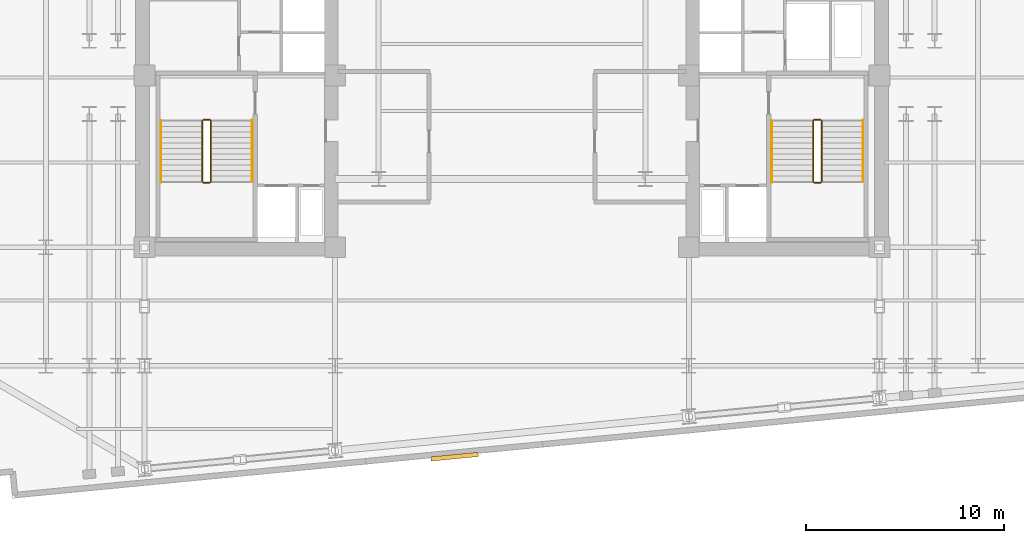
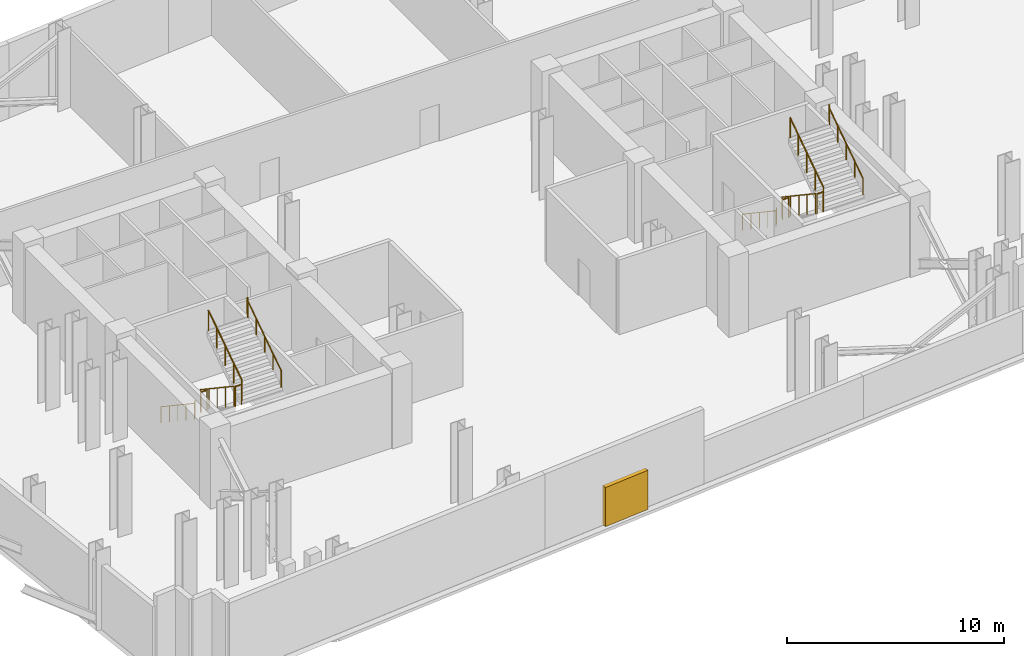
# One storey, part 8 of 9: 12 railings, 1 shading device.
"""IFC4 building model written with IfcOpenShell, lengths in metres."""

from ifc_helpers import new_model, si_unit, direction, frame, origin, origin_2d, place, context, subcontext, project, spatial, rectangle, circle, extrude, material, type_object, element, save


model = new_model("IFC4")

# Units and contexts
model_context = context("Model", 3, precision=1e-05, world=origin(), true_north=direction((0.0, 1.0)))
body_context = subcontext(model_context, "Body", "Model", "MODEL_VIEW")
ifc_project = project(units=[si_unit("LENGTHUNIT", "METRE"), si_unit("AREAUNIT", "SQUARE_METRE"), si_unit("VOLUMEUNIT", "CUBIC_METRE"), si_unit("PLANEANGLEUNIT", "RADIAN"), si_unit("MASSUNIT", "GRAM", prefix="KILO")], contexts=[model_context])

# Site, building, storey
site_placement = place(None, origin())
site = spatial("IfcSite", under=ifc_project, at=site_placement, CompositionType="ELEMENT")
building_placement = place(site_placement, origin())
building = spatial("IfcBuilding", under=site, at=building_placement, Name="Velakula Bourse", CompositionType="ELEMENT")
storey_placement = place(building_placement, frame((0.0, 0.0, 112.14990234375)))
storey = spatial("IfcBuildingStorey", under=building, at=storey_placement, Name="L30", CompositionType="ELEMENT", Elevation=112.14990234375)

# Railings
ifc_material_1 = material(Name="Brushed grade 316 stainless steel", Category="steel")
railing_type_1 = type_object("IfcRailingType", Name="RLG-STAIR-GUARD-1150", PredefinedType="BALUSTRADE", material=ifc_material_1)
railing_1_placement = place(storey_placement, frame((-15.672119140625, -2.199951171875, 0.1875)))
element("IfcRailing", 1, at=railing_1_placement, inside=storey, type_object=railing_type_1, Name="L30 ST-W1 stair guard 1", PredefinedType="BALUSTRADE", context=body_context, shape_type="SweptSolid", body=[
    extrude(circle(Radius=0.02490234375, at=origin_2d()), frame((0.0, 0.0, 1.125), z_axis=(0.0, -0.830913701846, 0.55640131208), x_axis=(1.0, 0.0, 0.0)), (0.0, 0.0, 1.0), 3.706787109375),
    extrude(circle(Radius=0.02099609375, at=origin_2d()), origin(), (0.0, 0.0, 1.0), 1.099853515625),
    extrude(circle(Radius=0.02099609375, at=origin_2d()), frame((0.0, -0.77001953125, 0.515625)), (0.0, 0.0, 1.0), 1.099853515625),
    extrude(circle(Radius=0.02099609375, at=origin_2d()), frame((0.0, -1.5400390625, 1.03125)), (0.0, 0.0, 1.0), 1.099853515625),
    extrude(circle(Radius=0.02099609375, at=origin_2d()), frame((0.0, -2.31005859375, 1.546875)), (0.0, 0.0, 1.0), 1.099853515625),
    extrude(circle(Radius=0.02099609375, at=origin_2d()), frame((0.0, -3.080078125, 2.0625)), (0.0, 0.0, 1.0), 1.099853515625),
])
railing_2_placement = place(storey_placement, frame((-15.6220703125, -5.330078125, 2.25)))
element("IfcRailing", 2, at=railing_2_placement, inside=storey, type_object=railing_type_1, Name="L30 ST-W1 stair guard 2", PredefinedType="BALUSTRADE", context=body_context, shape_type="SweptSolid", body=[
    extrude(circle(Radius=0.02490234375, at=origin_2d()), frame((0.0, 0.0, 1.125), z_axis=(1.0, 0.0, 0.0), x_axis=(0.0, 1.0, 0.0)), (0.0, 0.0, 1.0), 0.323974609375),
    extrude(circle(Radius=0.02099609375, at=origin_2d()), origin(), (0.0, 0.0, 1.0), 1.099853515625),
    extrude(circle(Radius=0.02099609375, at=origin_2d()), frame((0.323974609375, 0.0, 0.0)), (0.0, 0.0, 1.0), 1.099853515625),
])
railing_3_placement = place(storey_placement, frame((-15.248046875, -5.280029296875, 2.4375)))
element("IfcRailing", 3, at=railing_3_placement, inside=storey, type_object=railing_type_1, Name="L30 ST-W1 stair guard 3", PredefinedType="BALUSTRADE", context=body_context, shape_type="SweptSolid", body=[
    extrude(circle(Radius=0.02490234375, at=origin_2d()), frame((0.0, 0.0, 1.125), z_axis=(0.0, 0.830913701846, 0.55640131208), x_axis=(-1.0, 0.0, 0.0)), (0.0, 0.0, 1.0), 3.706787109375),
    extrude(circle(Radius=0.02099609375, at=origin_2d()), origin(), (0.0, 0.0, 1.0), 1.099853515625),
    extrude(circle(Radius=0.02099609375, at=origin_2d()), frame((0.0, 0.77001953125, 0.515625)), (0.0, 0.0, 1.0), 1.099853515625),
    extrude(circle(Radius=0.02099609375, at=origin_2d()), frame((0.0, 1.5400390625, 1.03125)), (0.0, 0.0, 1.0), 1.099853515625),
    extrude(circle(Radius=0.02099609375, at=origin_2d()), frame((0.0, 2.31005859375, 1.546875)), (0.0, 0.0, 1.0), 1.099853515625),
    extrude(circle(Radius=0.02099609375, at=origin_2d()), frame((0.0, 3.080078125, 2.0625)), (0.0, 0.0, 1.0), 1.099853515625),
])
railing_4_placement = place(storey_placement, frame((-15.6220703125, -2.14990234375, 0.0)))
element("IfcRailing", 4, at=railing_4_placement, inside=storey, type_object=railing_type_1, Name="L30 ST-W1 stair guard 4", PredefinedType="BALUSTRADE", context=body_context, shape_type="SweptSolid", body=[
    extrude(circle(Radius=0.02490234375, at=origin_2d()), frame((0.0, 0.0, 1.125), z_axis=(1.0, 0.0, 0.0), x_axis=(0.0, 1.0, 0.0)), (0.0, 0.0, 1.0), 0.323974609375),
    extrude(circle(Radius=0.02099609375, at=origin_2d()), origin(), (0.0, 0.0, 1.0), 1.099853515625),
    extrude(circle(Radius=0.02099609375, at=origin_2d()), frame((0.323974609375, 0.0, 0.0)), (0.0, 0.0, 1.0), 1.099853515625),
])
railing_5_placement = place(storey_placement, frame((15.248046875, -2.199951171875, 0.1875)))
element("IfcRailing", 5, at=railing_5_placement, inside=storey, type_object=railing_type_1, Name="L30 ST-E1 stair guard 1", PredefinedType="BALUSTRADE", context=body_context, shape_type="SweptSolid", body=[
    extrude(circle(Radius=0.02490234375, at=origin_2d()), frame((0.0, 0.0, 1.125), z_axis=(0.0, -0.830913701846, 0.55640131208), x_axis=(1.0, 0.0, 0.0)), (0.0, 0.0, 1.0), 3.706787109375),
    extrude(circle(Radius=0.02099609375, at=origin_2d()), origin(), (0.0, 0.0, 1.0), 1.099853515625),
    extrude(circle(Radius=0.02099609375, at=origin_2d()), frame((0.0, -0.77001953125, 0.515625)), (0.0, 0.0, 1.0), 1.099853515625),
    extrude(circle(Radius=0.02099609375, at=origin_2d()), frame((0.0, -1.5400390625, 1.03125)), (0.0, 0.0, 1.0), 1.099853515625),
    extrude(circle(Radius=0.02099609375, at=origin_2d()), frame((0.0, -2.31005859375, 1.546875)), (0.0, 0.0, 1.0), 1.099853515625),
    extrude(circle(Radius=0.02099609375, at=origin_2d()), frame((0.0, -3.080078125, 2.0625)), (0.0, 0.0, 1.0), 1.099853515625),
])
railing_6_placement = place(storey_placement, frame((15.298095703125, -5.330078125, 2.25)))
element("IfcRailing", 6, at=railing_6_placement, inside=storey, type_object=railing_type_1, Name="L30 ST-E1 stair guard 2", PredefinedType="BALUSTRADE", context=body_context, shape_type="SweptSolid", body=[
    extrude(circle(Radius=0.02490234375, at=origin_2d()), frame((0.0, 0.0, 1.125), z_axis=(1.0, 0.0, 0.0), x_axis=(0.0, 1.0, 0.0)), (0.0, 0.0, 1.0), 0.323974609375),
    extrude(circle(Radius=0.02099609375, at=origin_2d()), origin(), (0.0, 0.0, 1.0), 1.099853515625),
    extrude(circle(Radius=0.02099609375, at=origin_2d()), frame((0.323974609375, 0.0, 0.0)), (0.0, 0.0, 1.0), 1.099853515625),
])
railing_7_placement = place(storey_placement, frame((15.672119140625, -5.280029296875, 2.4375)))
element("IfcRailing", 7, at=railing_7_placement, inside=storey, type_object=railing_type_1, Name="L30 ST-E1 stair guard 3", PredefinedType="BALUSTRADE", context=body_context, shape_type="SweptSolid", body=[
    extrude(circle(Radius=0.02490234375, at=origin_2d()), frame((0.0, 0.0, 1.125), z_axis=(0.0, 0.830913701846, 0.55640131208), x_axis=(-1.0, 0.0, 0.0)), (0.0, 0.0, 1.0), 3.706787109375),
    extrude(circle(Radius=0.02099609375, at=origin_2d()), origin(), (0.0, 0.0, 1.0), 1.099853515625),
    extrude(circle(Radius=0.02099609375, at=origin_2d()), frame((0.0, 0.77001953125, 0.515625)), (0.0, 0.0, 1.0), 1.099853515625),
    extrude(circle(Radius=0.02099609375, at=origin_2d()), frame((0.0, 1.5400390625, 1.03125)), (0.0, 0.0, 1.0), 1.099853515625),
    extrude(circle(Radius=0.02099609375, at=origin_2d()), frame((0.0, 2.31005859375, 1.546875)), (0.0, 0.0, 1.0), 1.099853515625),
    extrude(circle(Radius=0.02099609375, at=origin_2d()), frame((0.0, 3.080078125, 2.0625)), (0.0, 0.0, 1.0), 1.099853515625),
])
railing_8_placement = place(storey_placement, frame((15.298095703125, -2.14990234375, 0.0)))
element("IfcRailing", 8, at=railing_8_placement, inside=storey, type_object=railing_type_1, Name="L30 ST-E1 stair guard 4", PredefinedType="BALUSTRADE", context=body_context, shape_type="SweptSolid", body=[
    extrude(circle(Radius=0.02490234375, at=origin_2d()), frame((0.0, 0.0, 1.125), z_axis=(1.0, 0.0, 0.0), x_axis=(0.0, 1.0, 0.0)), (0.0, 0.0, 1.0), 0.323974609375),
    extrude(circle(Radius=0.02099609375, at=origin_2d()), origin(), (0.0, 0.0, 1.0), 1.099853515625),
    extrude(circle(Radius=0.02099609375, at=origin_2d()), frame((0.323974609375, 0.0, 0.0)), (0.0, 0.0, 1.0), 1.099853515625),
])
railing_type_2 = type_object("IfcRailingType", Name="RLG-STAIR-HAND-920", PredefinedType="HANDRAIL", material=ifc_material_1)
railing_9_placement = place(storey_placement, frame((-17.77001953125, -2.199951171875, 0.1875)))
element("IfcRailing", 9, at=railing_9_placement, inside=storey, type_object=railing_type_2, Name="L30 ST-W1 stair handrail 1", PredefinedType="HANDRAIL", context=body_context, shape_type="SweptSolid", body=[
    extrude(circle(Radius=0.02099609375, at=origin_2d()), frame((0.0, 0.0, 0.89892578125), z_axis=(0.0, -0.830913701846, 0.55640131208), x_axis=(1.0, 0.0, 0.0)), (0.0, 0.0, 1.0), 3.706787109375),
    extrude(circle(Radius=0.02099609375, at=origin_2d()), frame((0.0, -3.080078125, 2.96142578125), z_axis=(0.0, -0.208833338674, 0.97795124452), x_axis=(1.0, 0.0, 0.0)), (0.0, 0.0, 1.0), 0.191650390625),
    extrude(circle(Radius=0.02099609375, at=origin_2d()), frame((0.0, -3.1201171875, 3.14892578125), z_axis=(0.0, -1.0, 0.0), x_axis=(1.0, 0.0, 0.0)), (0.0, 0.0, 1.0), 0.0048828125),
    extrude(circle(Radius=0.02099609375, at=origin_2d()), origin(), (0.0, 0.0, 1.0), 0.8779296875),
    extrude(circle(Radius=0.02099609375, at=origin_2d()), frame((0.0, -0.77001953125, 0.515625)), (0.0, 0.0, 1.0), 0.8779296875),
    extrude(circle(Radius=0.02099609375, at=origin_2d()), frame((0.0, -1.5400390625, 1.03125)), (0.0, 0.0, 1.0), 0.8779296875),
    extrude(circle(Radius=0.02099609375, at=origin_2d()), frame((0.0, -2.31005859375, 1.546875)), (0.0, 0.0, 1.0), 0.8779296875),
    extrude(circle(Radius=0.02099609375, at=origin_2d()), frame((0.0, -3.080078125, 2.0625)), (0.0, 0.0, 1.0), 0.8779296875),
    extrude(circle(Radius=0.02099609375, at=origin_2d()), frame((0.0, -3.1201171875, 2.25)), (0.0, 0.0, 1.0), 0.8779296875),
    extrude(circle(Radius=0.02099609375, at=origin_2d()), frame((0.0, -3.125, 2.25)), (0.0, 0.0, 1.0), 0.8779296875),
])
railing_10_placement = place(storey_placement, frame((-13.14990234375, -5.280029296875, 2.4375)))
element("IfcRailing", 10, at=railing_10_placement, inside=storey, type_object=railing_type_2, Name="L30 ST-W1 stair handrail 2", PredefinedType="HANDRAIL", context=body_context, shape_type="SweptSolid", body=[
    extrude(circle(Radius=0.02099609375, at=origin_2d()), frame((0.0, 0.0, 0.89892578125), z_axis=(0.0, 0.830913701846, 0.55640131208), x_axis=(-1.0, 0.0, 0.0)), (0.0, 0.0, 1.0), 3.706787109375),
    extrude(circle(Radius=0.02099609375, at=origin_2d()), frame((0.0, 3.080078125, 2.96142578125), z_axis=(0.0, 0.208833338674, 0.97795124452), x_axis=(-1.0, 0.0, 0.0)), (0.0, 0.0, 1.0), 0.191650390625),
    extrude(circle(Radius=0.02099609375, at=origin_2d()), frame((0.0, 3.1201171875, 3.14892578125), z_axis=(0.0, 1.0, 0.0), x_axis=(-1.0, 0.0, 0.0)), (0.0, 0.0, 1.0), 0.0048828125),
    extrude(circle(Radius=0.02099609375, at=origin_2d()), origin(), (0.0, 0.0, 1.0), 0.8779296875),
    extrude(circle(Radius=0.02099609375, at=origin_2d()), frame((0.0, 0.77001953125, 0.515625)), (0.0, 0.0, 1.0), 0.8779296875),
    extrude(circle(Radius=0.02099609375, at=origin_2d()), frame((0.0, 1.5400390625, 1.03125)), (0.0, 0.0, 1.0), 0.8779296875),
    extrude(circle(Radius=0.02099609375, at=origin_2d()), frame((0.0, 2.31005859375, 1.546875)), (0.0, 0.0, 1.0), 0.8779296875),
    extrude(circle(Radius=0.02099609375, at=origin_2d()), frame((0.0, 3.080078125, 2.0625)), (0.0, 0.0, 1.0), 0.8779296875),
    extrude(circle(Radius=0.02099609375, at=origin_2d()), frame((0.0, 3.1201171875, 2.25)), (0.0, 0.0, 1.0), 0.8779296875),
    extrude(circle(Radius=0.02099609375, at=origin_2d()), frame((0.0, 3.125, 2.25)), (0.0, 0.0, 1.0), 0.8779296875),
])
railing_11_placement = place(storey_placement, frame((13.14990234375, -2.199951171875, 0.1875)))
element("IfcRailing", 11, at=railing_11_placement, inside=storey, type_object=railing_type_2, Name="L30 ST-E1 stair handrail 1", PredefinedType="HANDRAIL", context=body_context, shape_type="SweptSolid", body=[
    extrude(circle(Radius=0.02099609375, at=origin_2d()), frame((0.0, 0.0, 0.89892578125), z_axis=(0.0, -0.830913701846, 0.55640131208), x_axis=(1.0, 0.0, 0.0)), (0.0, 0.0, 1.0), 3.706787109375),
    extrude(circle(Radius=0.02099609375, at=origin_2d()), frame((0.0, -3.080078125, 2.96142578125), z_axis=(0.0, -0.208833338674, 0.97795124452), x_axis=(1.0, 0.0, 0.0)), (0.0, 0.0, 1.0), 0.191650390625),
    extrude(circle(Radius=0.02099609375, at=origin_2d()), frame((0.0, -3.1201171875, 3.14892578125), z_axis=(0.0, -1.0, 0.0), x_axis=(1.0, 0.0, 0.0)), (0.0, 0.0, 1.0), 0.0048828125),
    extrude(circle(Radius=0.02099609375, at=origin_2d()), origin(), (0.0, 0.0, 1.0), 0.8779296875),
    extrude(circle(Radius=0.02099609375, at=origin_2d()), frame((0.0, -0.77001953125, 0.515625)), (0.0, 0.0, 1.0), 0.8779296875),
    extrude(circle(Radius=0.02099609375, at=origin_2d()), frame((0.0, -1.5400390625, 1.03125)), (0.0, 0.0, 1.0), 0.8779296875),
    extrude(circle(Radius=0.02099609375, at=origin_2d()), frame((0.0, -2.31005859375, 1.546875)), (0.0, 0.0, 1.0), 0.8779296875),
    extrude(circle(Radius=0.02099609375, at=origin_2d()), frame((0.0, -3.080078125, 2.0625)), (0.0, 0.0, 1.0), 0.8779296875),
    extrude(circle(Radius=0.02099609375, at=origin_2d()), frame((0.0, -3.1201171875, 2.25)), (0.0, 0.0, 1.0), 0.8779296875),
    extrude(circle(Radius=0.02099609375, at=origin_2d()), frame((0.0, -3.125, 2.25)), (0.0, 0.0, 1.0), 0.8779296875),
])
railing_12_placement = place(storey_placement, frame((17.77001953125, -5.280029296875, 2.4375)))
element("IfcRailing", 12, at=railing_12_placement, inside=storey, type_object=railing_type_2, Name="L30 ST-E1 stair handrail 2", PredefinedType="HANDRAIL", context=body_context, shape_type="SweptSolid", body=[
    extrude(circle(Radius=0.02099609375, at=origin_2d()), frame((0.0, 0.0, 0.89892578125), z_axis=(0.0, 0.830913701846, 0.55640131208), x_axis=(-1.0, 0.0, 0.0)), (0.0, 0.0, 1.0), 3.706787109375),
    extrude(circle(Radius=0.02099609375, at=origin_2d()), frame((0.0, 3.080078125, 2.96142578125), z_axis=(0.0, 0.208833338674, 0.97795124452), x_axis=(-1.0, 0.0, 0.0)), (0.0, 0.0, 1.0), 0.191650390625),
    extrude(circle(Radius=0.02099609375, at=origin_2d()), frame((0.0, 3.1201171875, 3.14892578125), z_axis=(0.0, 1.0, 0.0), x_axis=(-1.0, 0.0, 0.0)), (0.0, 0.0, 1.0), 0.0048828125),
    extrude(circle(Radius=0.02099609375, at=origin_2d()), origin(), (0.0, 0.0, 1.0), 0.8779296875),
    extrude(circle(Radius=0.02099609375, at=origin_2d()), frame((0.0, 0.77001953125, 0.515625)), (0.0, 0.0, 1.0), 0.8779296875),
    extrude(circle(Radius=0.02099609375, at=origin_2d()), frame((0.0, 1.5400390625, 1.03125)), (0.0, 0.0, 1.0), 0.8779296875),
    extrude(circle(Radius=0.02099609375, at=origin_2d()), frame((0.0, 2.31005859375, 1.546875)), (0.0, 0.0, 1.0), 0.8779296875),
    extrude(circle(Radius=0.02099609375, at=origin_2d()), frame((0.0, 3.080078125, 2.0625)), (0.0, 0.0, 1.0), 0.8779296875),
    extrude(circle(Radius=0.02099609375, at=origin_2d()), frame((0.0, 3.1201171875, 2.25)), (0.0, 0.0, 1.0), 0.8779296875),
    extrude(circle(Radius=0.02099609375, at=origin_2d()), frame((0.0, 3.125, 2.25)), (0.0, 0.0, 1.0), 0.8779296875),
])

# Shading device
ifc_material_2 = material(Name="Anodised bronze architectural aluminium", Category="aluminium")
shading_device_type = type_object("IfcShadingDeviceType", Name="SHD-JLS-2400", PredefinedType="JALOUSIE", material=ifc_material_2)
shading_device_placement = place(storey_placement, frame((-2.903564453125, -19.203857421875, 0.0), z_axis=(0.0, 0.0, 1.0), x_axis=(0.995396198367, 0.09584575252, 0.0)))
element("IfcShadingDevice", 13, at=shading_device_placement, inside=storey, type_object=shading_device_type, Name="L30 Mechanical Plant Acoustic Intake Louvre S", PredefinedType="JALOUSIE", context=body_context, shape_type="SweptSolid", body=[
    extrude(rectangle(XDim=2.39990234375, YDim=0.219970703125, at=origin_2d()), origin(), (0.0, 0.0, 1.0), 2.199951171875),
])

save(model, "model.ifc")
